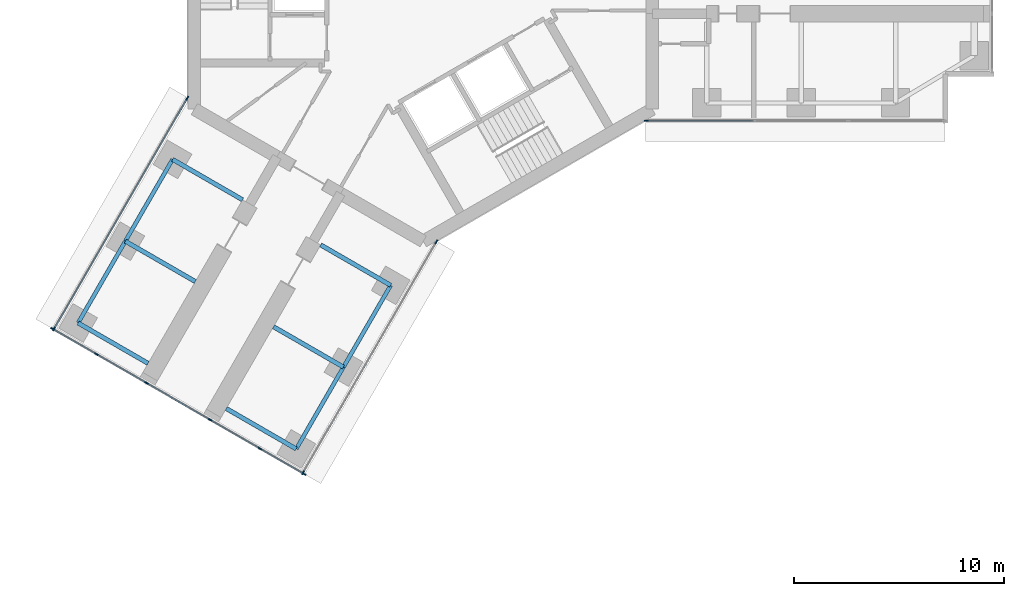
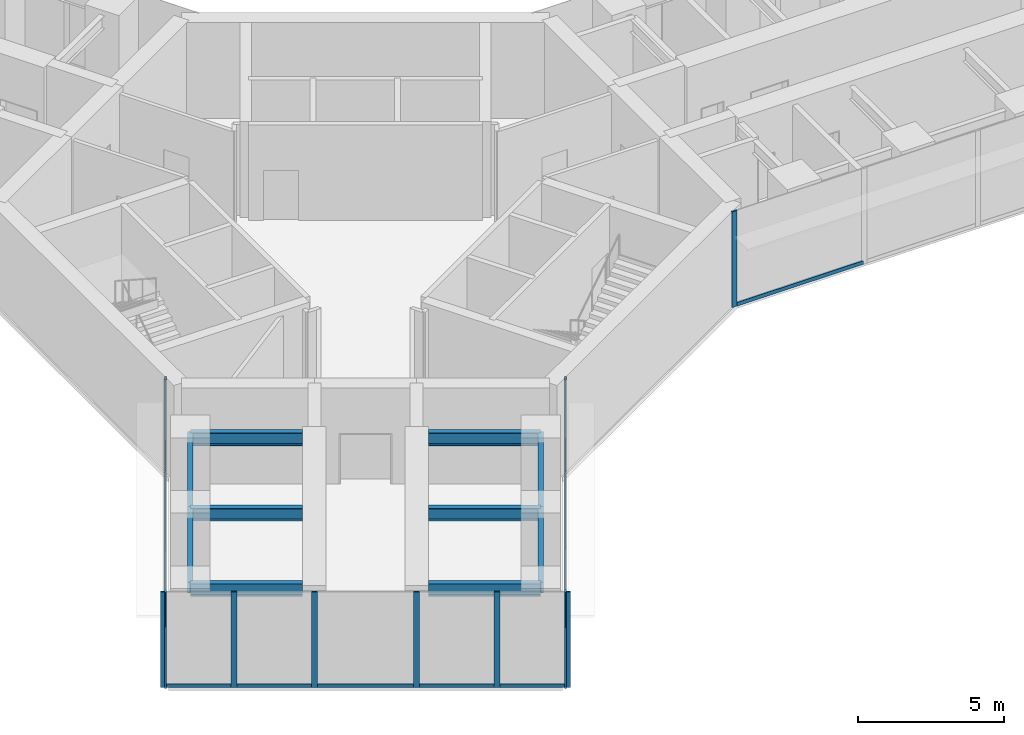
# One storey, part 2 of 21: 19 members, 10 beams, 4 elements without a shape of their own.
"""IFC4 building model written with IfcOpenShell, lengths in metres."""

from ifc_helpers import new_model, si_unit, direction, frame, origin, origin_2d, place, context, subcontext, project, spatial, rectangle, i_section, extrude, material, material_profile, profile_set, type_object, element, aggregate, save


model = new_model("IFC4")

# Units and contexts
model_context = context("Model", 3, precision=1e-05, world=origin(), true_north=direction((0.0, 1.0)))
body_context = subcontext(model_context, "Body", "Model", "MODEL_VIEW")
ifc_project = project(units=[si_unit("LENGTHUNIT", "METRE"), si_unit("AREAUNIT", "SQUARE_METRE"), si_unit("VOLUMEUNIT", "CUBIC_METRE"), si_unit("PLANEANGLEUNIT", "RADIAN"), si_unit("MASSUNIT", "GRAM", prefix="KILO")], contexts=[model_context])

# Site, building, storey
site_placement = place(None, origin())
site = spatial("IfcSite", under=ifc_project, at=site_placement, CompositionType="ELEMENT")
building_placement = place(site_placement, origin())
building = spatial("IfcBuilding", under=site, at=building_placement, Name="Upepo Twin Towers", CompositionType="ELEMENT")
storey_placement = place(building_placement, frame((0.0, 0.0, 109.5)))
storey = spatial("IfcBuildingStorey", under=building, at=storey_placement, Name="L26", CompositionType="ELEMENT", Elevation=109.5)

# Beams
ifc_material_1 = material(Name="Steel S355", Category="steel")
ifc_material_profile_1 = material_profile(ifc_material_1, i_section(OverallWidth=0.1904296875, OverallDepth=0.45703125, WebThickness=0.009033203125, FlangeThickness=0.014404296875, FilletRadius=0.01025390625, at=origin_2d()), Name="UB 457x191x74")
ifc_profile_set_1 = profile_set([ifc_material_profile_1], Name="Steel S355")
beam_type_1 = type_object("IfcBeamType", Name="Beam UB 457x191x74", PredefinedType="BEAM", material=ifc_profile_set_1)
beam_1_placement = place(storey_placement, frame((-1.553955078125, -14.69140625, 3.571533203125), z_axis=(-0.500013631625, -0.866017533419, 0.0), x_axis=(0.866017533419, -0.500013631625, 0.0)))
element("IfcBeam", 1, at=beam_1_placement, inside=storey, type_object=beam_type_1, Name="T1 edge beam CL 13.5-18.0", PredefinedType="BEAM", context=body_context, shape_type="SweptSolid", body=[
    extrude(i_section(OverallWidth=0.1904296875, OverallDepth=0.45703125, WebThickness=0.009033203125, FlangeThickness=0.014404296875, FilletRadius=0.01025390625, at=origin_2d()), origin(), (0.0, 0.0, 1.0), 4.499755859375),
])
beam_2_placement = place(storey_placement, frame((-3.803955078125, -18.58837890625, 3.571533203125), z_axis=(-0.499990139034, -0.866031096941, 0.0), x_axis=(0.866031096941, -0.499990139034, 0.0)))
element("IfcBeam", 2, at=beam_2_placement, inside=storey, type_object=beam_type_1, Name="T1 edge beam CL 18.0-22.5", PredefinedType="BEAM", context=body_context, shape_type="SweptSolid", body=[
    extrude(i_section(OverallWidth=0.1904296875, OverallDepth=0.45703125, WebThickness=0.009033203125, FlangeThickness=0.014404296875, FilletRadius=0.01025390625, at=origin_2d()), origin(), (0.0, 0.0, 1.0), 4.5),
])
beam_3_placement = place(storey_placement, frame((-11.946044921875, -8.69140625, 3.571533203125), z_axis=(-0.500013631625, -0.866017533419, 0.0), x_axis=(0.866017533419, -0.500013631625, 0.0)))
element("IfcBeam", 3, at=beam_3_placement, inside=storey, type_object=beam_type_1, Name="T1 edge beam CR 13.5-18.0", PredefinedType="BEAM", context=body_context, shape_type="SweptSolid", body=[
    extrude(i_section(OverallWidth=0.1904296875, OverallDepth=0.45703125, WebThickness=0.009033203125, FlangeThickness=0.014404296875, FilletRadius=0.01025390625, at=origin_2d()), origin(), (0.0, 0.0, 1.0), 4.499755859375),
])
beam_4_placement = place(storey_placement, frame((-14.196044921875, -12.58837890625, 3.571533203125), z_axis=(-0.499990139034, -0.866031096941, 0.0), x_axis=(0.866031096941, -0.499990139034, 0.0)))
element("IfcBeam", 4, at=beam_4_placement, inside=storey, type_object=beam_type_1, Name="T1 edge beam CR 18.0-22.5", PredefinedType="BEAM", context=body_context, shape_type="SweptSolid", body=[
    extrude(i_section(OverallWidth=0.1904296875, OverallDepth=0.45703125, WebThickness=0.009033203125, FlangeThickness=0.014404296875, FilletRadius=0.01025390625, at=origin_2d()), origin(), (0.0, 0.0, 1.0), 4.5),
])
ifc_material_2 = material(Name="Steel S355", Category="steel")
ifc_material_profile_2 = material_profile(ifc_material_2, i_section(OverallWidth=0.209228515625, OverallDepth=0.533203125, WebThickness=0.010009765625, FlangeThickness=0.015625, FilletRadius=0.0126953125, at=origin_2d()), Name="UB 533x210x92")
ifc_profile_set_2 = profile_set([ifc_material_profile_2], Name="Steel S355")
beam_type_2 = type_object("IfcBeamType", Name="Beam UB 533x210x92", PredefinedType="BEAM", material=ifc_profile_set_2)
beam_5_placement = place(storey_placement, frame((-1.553955078125, -14.69140625, 3.533447265625), z_axis=(-0.866006051527, 0.500033517596, 0.0), x_axis=(-0.500033517596, -0.866006051527, 0.0)))
element("IfcBeam", 5, at=beam_5_placement, inside=storey, type_object=beam_type_2, Name="T1 girder CL at 13.5", PredefinedType="BEAM", context=body_context, shape_type="SweptSolid", body=[
    extrude(i_section(OverallWidth=0.209228515625, OverallDepth=0.533203125, WebThickness=0.010009765625, FlangeThickness=0.015625, FilletRadius=0.0126953125, at=origin_2d()), origin(), (0.0, 0.0, 1.0), 3.849853515625),
])
beam_6_placement = place(storey_placement, frame((-3.803955078125, -18.58837890625, 3.533447265625), z_axis=(-0.866033512162, 0.499985955615, 0.0), x_axis=(-0.499985955615, -0.866033512162, 0.0)))
element("IfcBeam", 6, at=beam_6_placement, inside=storey, type_object=beam_type_2, Name="T1 girder CL at 18.0", PredefinedType="BEAM", context=body_context, shape_type="SweptSolid", body=[
    extrude(i_section(OverallWidth=0.209228515625, OverallDepth=0.533203125, WebThickness=0.010009765625, FlangeThickness=0.015625, FilletRadius=0.0126953125, at=origin_2d()), origin(), (0.0, 0.0, 1.0), 3.849609375),
])
for number, where, z_axis, x_axis, name in (
    (7, (-6.053955078125, -22.485595703125, 3.533447265625), (-0.866006051527, 0.500033517596, 0.0), (-0.500033517596, -0.866006051527, 0.0), "T1 girder CL at 22.5"),
    (8, (-11.946044921875, -8.69140625, 3.533447265625), (0.866006051527, -0.500033517596, 0.0), (0.500033517596, 0.866006051527, 0.0), "T1 girder CR at 13.5"),
    (9, (-14.196044921875, -12.58837890625, 3.533447265625), (0.866006051527, -0.500033517596, 0.0), (0.500033517596, 0.866006051527, 0.0), "T1 girder CR at 18.0"),
    (10, (-16.446044921875, -16.485595703125, 3.533447265625), (0.866006051527, -0.500033517596, 0.0), (0.500033517596, 0.866006051527, 0.0), "T1 girder CR at 22.5"),
):
    element("IfcBeam", number, at=place(storey_placement, frame(where, z_axis=z_axis, x_axis=x_axis)), inside=storey, type_object=beam_type_2, Name=name, PredefinedType="BEAM", context=body_context, shape_type="SweptSolid", body=[
        extrude(i_section(OverallWidth=0.209228515625, OverallDepth=0.533203125, WebThickness=0.010009765625, FlangeThickness=0.015625, FilletRadius=0.0126953125, at=origin_2d()), origin(), (0.0, 0.0, 1.0), 3.849853515625),
    ])

# Curtain wall, member
ifc_material_3 = material(Name="Aluminium and fritted glass", Category="aluminium")
curtain_wall_type = type_object("IfcCurtainWallType", Name="Tower curtain wall TW2, fritted glass", PredefinedType="NOTDEFINED", material=ifc_material_3)
curtain_wall_1_placement = place(storey_placement, origin())
curtain_wall_1 = element("IfcCurtainWall", 11, at=curtain_wall_1_placement, inside=storey, type_object=curtain_wall_type, Name="T1 L26 wing A flank R curtain wall", PredefinedType="NOTDEFINED")
ifc_material_4 = material(Name="Aluminium mullion", Category="aluminium")
ifc_material_profile_3 = material_profile(ifc_material_4, rectangle(XDim=0.06494140625, YDim=0.199951171875, at=origin_2d()), Name="MULLION 65x200")
ifc_profile_set_3 = profile_set([ifc_material_profile_3], Name="Aluminium mullion")
member_type_1 = type_object("IfcMemberType", Name="Mullion 65x200 TW2", PredefinedType="MULLION", material=ifc_profile_set_3)
member_1_placement = place(storey_placement, frame((10.61962890625, -6.85009765625, 0.0), z_axis=(0.0, 0.0, 1.0), x_axis=(0.0, -1.0, 0.0)))
member_1 = element("IfcMember", 12, at=member_1_placement, type_object=member_type_1, Name="T1 L26 wing A flank R curtain wall mullion 4", PredefinedType="MULLION", context=body_context, shape_type="SweptSolid", body=[
    extrude(rectangle(XDim=0.06494140625, YDim=0.199951171875, at=origin_2d()), origin(), (0.0, 0.0, 1.0), 4.0),
])

# Curtain wall, members
curtain_wall_2_placement = place(storey_placement, origin())
curtain_wall_2 = element("IfcCurtainWall", 13, at=curtain_wall_2_placement, inside=storey, type_object=curtain_wall_type, Name="T1 L26 wing C flank L curtain wall", PredefinedType="NOTDEFINED")
member_2_placement = place(storey_placement, frame((0.62255859375, -12.621826171875, 0.0), z_axis=(0.0, 0.0, 1.0), x_axis=(0.866025399212, -0.50000000792, 0.0)))
member_2 = element("IfcMember", 14, at=member_2_placement, type_object=member_type_1, Name="T1 L26 wing C flank L curtain wall mullion 1", PredefinedType="MULLION", context=body_context, shape_type="SweptSolid", body=[
    extrude(rectangle(XDim=0.06494140625, YDim=0.199951171875, at=origin_2d()), origin(), (0.0, 0.0, 1.0), 4.0),
])
member_3_placement = place(storey_placement, frame((-5.7265625, -23.61865234375, 0.0), z_axis=(0.0, 0.0, 1.0), x_axis=(0.866025399212, -0.50000000792, 0.0)))
member_3 = element("IfcMember", 15, at=member_3_placement, type_object=member_type_1, Name="T1 L26 wing C flank L curtain wall mullion 2", PredefinedType="MULLION", context=body_context, shape_type="SweptSolid", body=[
    extrude(rectangle(XDim=0.06494140625, YDim=0.199951171875, at=origin_2d()), origin(), (0.0, 0.0, 1.0), 4.0),
])

curtain_wall_3_placement = place(storey_placement, origin())
curtain_wall_3 = element("IfcCurtainWall", 16, at=curtain_wall_3_placement, inside=storey, type_object=curtain_wall_type, Name="T1 L26 wing C flank R curtain wall", PredefinedType="NOTDEFINED")
member_4_placement = place(storey_placement, frame((-17.591064453125, -16.7685546875, 0.0), z_axis=(0.0, 0.0, 1.0), x_axis=(-0.866025399212, 0.50000000792, 0.0)))
member_4 = element("IfcMember", 17, at=member_4_placement, type_object=member_type_1, Name="T1 L26 wing C flank R curtain wall mullion 1", PredefinedType="MULLION", context=body_context, shape_type="SweptSolid", body=[
    extrude(rectangle(XDim=0.06494140625, YDim=0.199951171875, at=origin_2d()), origin(), (0.0, 0.0, 1.0), 4.0),
])
member_5_placement = place(storey_placement, frame((-11.2421875, -5.77197265625, 0.0), z_axis=(0.0, 0.0, 1.0), x_axis=(-0.866025399212, 0.50000000792, 0.0)))
member_5 = element("IfcMember", 18, at=member_5_placement, type_object=member_type_1, Name="T1 L26 wing C flank R curtain wall mullion 2", PredefinedType="MULLION", context=body_context, shape_type="SweptSolid", body=[
    extrude(rectangle(XDim=0.06494140625, YDim=0.199951171875, at=origin_2d()), origin(), (0.0, 0.0, 1.0), 4.0),
])

curtain_wall_4_placement = place(storey_placement, origin())
curtain_wall_4 = element("IfcCurtainWall", 19, at=curtain_wall_4_placement, inside=storey, type_object=curtain_wall_type, Name="T1 L26 wing C nose curtain wall", PredefinedType="NOTDEFINED")
member_6_placement = place(storey_placement, frame((-17.665771484375, -16.762939453125, 0.0), z_axis=(0.0, 0.0, 1.0), x_axis=(0.499999972355, 0.866025419745, 0.0)))
member_6 = element("IfcMember", 20, at=member_6_placement, type_object=member_type_1, Name="T1 L26 wing C nose curtain wall mullion 1", PredefinedType="MULLION", context=body_context, shape_type="SweptSolid", body=[
    extrude(rectangle(XDim=0.06494140625, YDim=0.199951171875, at=origin_2d()), origin(), (0.0, 0.0, 1.0), 4.0),
])
member_7_placement = place(storey_placement, frame((-15.572021484375, -17.9716796875, 0.0), z_axis=(0.0, 0.0, 1.0), x_axis=(0.499999972355, 0.866025419745, 0.0)))
member_7 = element("IfcMember", 21, at=member_7_placement, type_object=member_type_1, Name="T1 L26 wing C nose curtain wall mullion 2", PredefinedType="MULLION", context=body_context, shape_type="SweptSolid", body=[
    extrude(rectangle(XDim=0.06494140625, YDim=0.199951171875, at=origin_2d()), origin(), (0.0, 0.0, 1.0), 4.0),
])
member_8_placement = place(storey_placement, frame((-13.1904296875, -19.3466796875, 0.0), z_axis=(0.0, 0.0, 1.0), x_axis=(0.499999972355, 0.866025419745, 0.0)))
member_8 = element("IfcMember", 22, at=member_8_placement, type_object=member_type_1, Name="T1 L26 wing C nose curtain wall mullion 3", PredefinedType="MULLION", context=body_context, shape_type="SweptSolid", body=[
    extrude(rectangle(XDim=0.06494140625, YDim=0.199951171875, at=origin_2d()), origin(), (0.0, 0.0, 1.0), 4.0),
])
member_9_placement = place(storey_placement, frame((-10.159423828125, -21.0966796875, 0.0), z_axis=(0.0, 0.0, 1.0), x_axis=(0.499999972355, 0.866025419745, 0.0)))
member_9 = element("IfcMember", 23, at=member_9_placement, type_object=member_type_1, Name="T1 L26 wing C nose curtain wall mullion 4", PredefinedType="MULLION", context=body_context, shape_type="SweptSolid", body=[
    extrude(rectangle(XDim=0.06494140625, YDim=0.199951171875, at=origin_2d()), origin(), (0.0, 0.0, 1.0), 4.0),
])
member_10_placement = place(storey_placement, frame((-7.77783203125, -22.4716796875, 0.0), z_axis=(0.0, 0.0, 1.0), x_axis=(0.499999972355, 0.866025419745, 0.0)))
member_10 = element("IfcMember", 24, at=member_10_placement, type_object=member_type_1, Name="T1 L26 wing C nose curtain wall mullion 5", PredefinedType="MULLION", context=body_context, shape_type="SweptSolid", body=[
    extrude(rectangle(XDim=0.06494140625, YDim=0.199951171875, at=origin_2d()), origin(), (0.0, 0.0, 1.0), 4.0),
])
member_11_placement = place(storey_placement, frame((-5.684326171875, -23.680419921875, 0.0), z_axis=(0.0, 0.0, 1.0), x_axis=(0.499999972355, 0.866025419745, 0.0)))
member_11 = element("IfcMember", 25, at=member_11_placement, type_object=member_type_1, Name="T1 L26 wing C nose curtain wall mullion 6", PredefinedType="MULLION", context=body_context, shape_type="SweptSolid", body=[
    extrude(rectangle(XDim=0.06494140625, YDim=0.199951171875, at=origin_2d()), origin(), (0.0, 0.0, 1.0), 4.0),
])

# Member
ifc_material_5 = material(Name="Aluminium transom", Category="aluminium")
ifc_material_profile_4 = material_profile(ifc_material_5, rectangle(XDim=0.06494140625, YDim=0.14990234375, at=origin_2d()), Name="TRANSOM 65x150")
ifc_profile_set_4 = profile_set([ifc_material_profile_4], Name="Aluminium transom")
member_type_2 = type_object("IfcMemberType", Name="Transom 65x150 TW2", PredefinedType="USERDEFINED", material=ifc_profile_set_4)
member_12_placement = place(storey_placement, frame((15.717529296875, -6.85009765625, 0.074951171875), z_axis=(-1.0, 0.0, 0.0), x_axis=(0.0, -1.0, 0.0)))
member_12 = element("IfcMember", 26, at=member_12_placement, type_object=member_type_2, Name="T1 L26 wing A flank R curtain wall transom 3", ObjectType="TRANSOM", PredefinedType="USERDEFINED", context=body_context, shape_type="SweptSolid", body=[
    extrude(rectangle(XDim=0.06494140625, YDim=0.14990234375, at=origin_2d()), origin(), (0.0, 0.0, 1.0), 5.0654296875),
])

aggregate(curtain_wall_1, [member_1, member_12])

member_13_placement = place(storey_placement, frame((0.606201171875, -12.64990234375, 0.074951171875), z_axis=(-0.499996807431, -0.866027247007, 0.0), x_axis=(0.866027247007, -0.499996807431, 0.0)))
member_13 = element("IfcMember", 27, at=member_13_placement, type_object=member_type_2, Name="T1 L26 wing C flank L curtain wall transom 1", ObjectType="TRANSOM", PredefinedType="USERDEFINED", context=body_context, shape_type="SweptSolid", body=[
    extrude(rectangle(XDim=0.06494140625, YDim=0.14990234375, at=origin_2d()), origin(), (0.0, 0.0, 1.0), 12.6328125),
])

aggregate(curtain_wall_2, [member_2, member_3, member_13])

member_14_placement = place(storey_placement, frame((-17.57470703125, -16.740478515625, 0.074951171875), z_axis=(0.499996807431, 0.866027247007, 0.0), x_axis=(-0.866027247007, 0.499996807431, 0.0)))
member_14 = element("IfcMember", 28, at=member_14_placement, type_object=member_type_2, Name="T1 L26 wing C flank R curtain wall transom 1", ObjectType="TRANSOM", PredefinedType="USERDEFINED", context=body_context, shape_type="SweptSolid", body=[
    extrude(rectangle(XDim=0.06494140625, YDim=0.14990234375, at=origin_2d()), origin(), (0.0, 0.0, 1.0), 12.6328125),
])

aggregate(curtain_wall_3, [member_4, member_5, member_14])

member_15_placement = place(storey_placement, frame((-17.6376953125, -16.779296875, 0.074951171875), z_axis=(0.866069800327, -0.499923095048, 0.0), x_axis=(0.499923095048, 0.866069800327, 0.0)))
member_15 = element("IfcMember", 29, at=member_15_placement, type_object=member_type_2, Name="T1 L26 wing C nose curtain wall transom 1", ObjectType="TRANSOM", PredefinedType="USERDEFINED", context=body_context, shape_type="SweptSolid", body=[
    extrude(rectangle(XDim=0.06494140625, YDim=0.14990234375, at=origin_2d()), origin(), (0.0, 0.0, 1.0), 2.352294921875),
])

member_16_placement = place(storey_placement, frame((-15.5439453125, -17.988037109375, 0.074951171875), z_axis=(0.8660523339, -0.49995335277, 0.0), x_axis=(0.49995335277, 0.8660523339, 0.0)))
member_16 = element("IfcMember", 30, at=member_16_placement, type_object=member_type_2, Name="T1 L26 wing C nose curtain wall transom 2", ObjectType="TRANSOM", PredefinedType="USERDEFINED", context=body_context, shape_type="SweptSolid", body=[
    extrude(rectangle(XDim=0.06494140625, YDim=0.14990234375, at=origin_2d()), origin(), (0.0, 0.0, 1.0), 2.684814453125),
])

member_17_placement = place(storey_placement, frame((-13.162353515625, -19.363037109375, 0.074951171875), z_axis=(0.866056579774, -0.499945997713, 0.0), x_axis=(0.499945997713, 0.866056579774, 0.0)))
member_17 = element("IfcMember", 31, at=member_17_placement, type_object=member_type_2, Name="T1 L26 wing C nose curtain wall transom 3", ObjectType="TRANSOM", PredefinedType="USERDEFINED", context=body_context, shape_type="SweptSolid", body=[
    extrude(rectangle(XDim=0.06494140625, YDim=0.14990234375, at=origin_2d()), origin(), (0.0, 0.0, 1.0), 3.43505859375),
])

member_18_placement = place(storey_placement, frame((-10.13134765625, -21.113037109375, 0.074951171875), z_axis=(0.8660523339, -0.49995335277, 0.0), x_axis=(0.49995335277, 0.8660523339, 0.0)))
member_18 = element("IfcMember", 32, at=member_18_placement, type_object=member_type_2, Name="T1 L26 wing C nose curtain wall transom 4", ObjectType="TRANSOM", PredefinedType="USERDEFINED", context=body_context, shape_type="SweptSolid", body=[
    extrude(rectangle(XDim=0.06494140625, YDim=0.14990234375, at=origin_2d()), origin(), (0.0, 0.0, 1.0), 2.684814453125),
])

member_19_placement = place(storey_placement, frame((-7.749755859375, -22.488037109375, 0.074951171875), z_axis=(0.866024864377, -0.50000093428, 0.0), x_axis=(0.50000093428, 0.866024864377, 0.0)))
member_19 = element("IfcMember", 33, at=member_19_placement, type_object=member_type_2, Name="T1 L26 wing C nose curtain wall transom 5", ObjectType="TRANSOM", PredefinedType="USERDEFINED", context=body_context, shape_type="SweptSolid", body=[
    extrude(rectangle(XDim=0.06494140625, YDim=0.14990234375, at=origin_2d()), origin(), (0.0, 0.0, 1.0), 2.3525390625),
])

aggregate(curtain_wall_4, [member_6, member_7, member_8, member_9, member_10, member_11, member_15, member_16, member_17, member_18, member_19])

save(model, "model.ifc")
